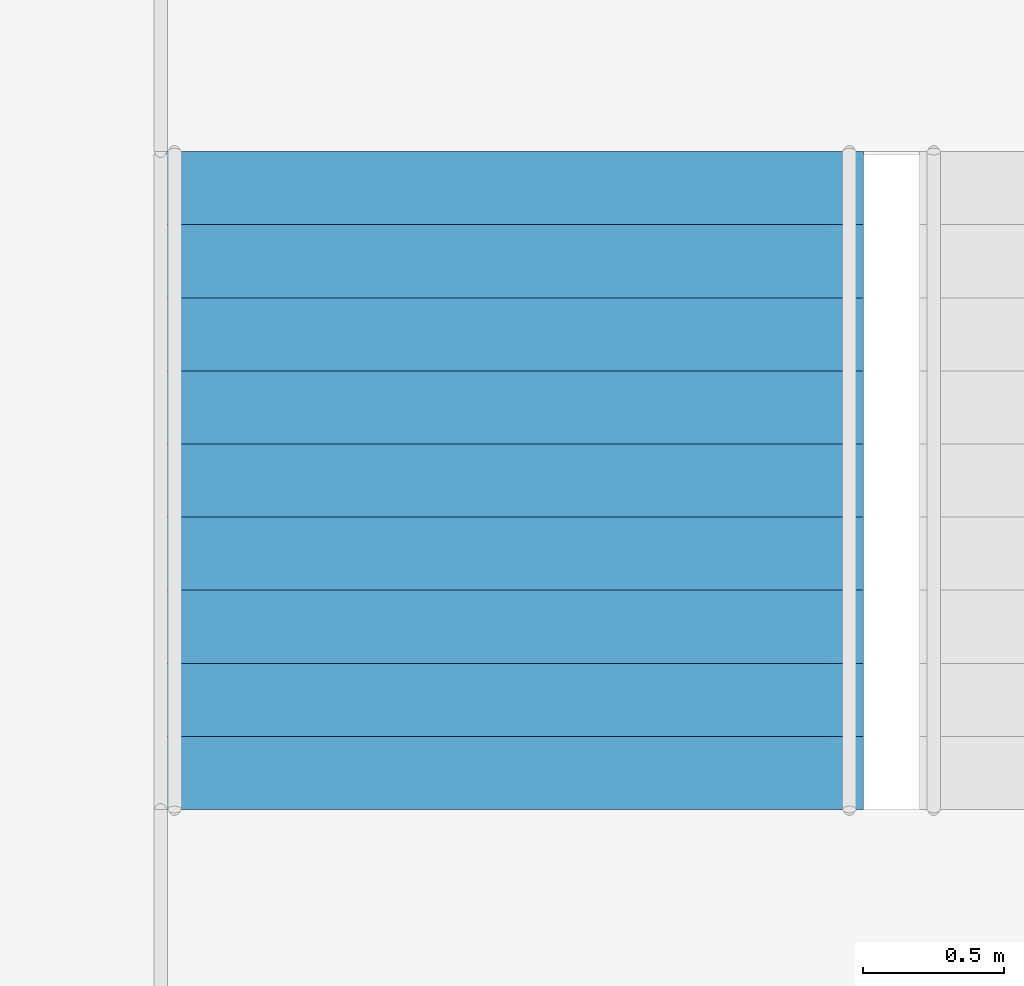
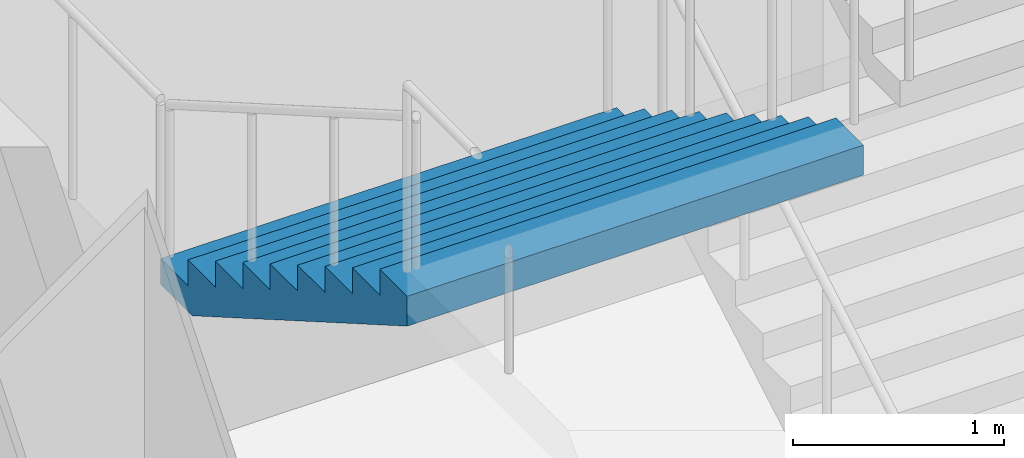
# One storey, part 71 of 100: 1 stair flight, 1 element without a shape of its own.
"""IFC4 building model written with IfcOpenShell, lengths in metres."""

from ifc_helpers import new_model, si_unit, direction, frame, origin, place, context, subcontext, project, spatial, triangles, material, type_object, element, aggregate, save


model = new_model("IFC4")

# Units and contexts
model_context = context("Model", 3, precision=1e-05, world=origin(), true_north=direction((0.0, 1.0)))
body_context = subcontext(model_context, "Body", "Model", "MODEL_VIEW")
ifc_project = project(units=[si_unit("LENGTHUNIT", "METRE"), si_unit("AREAUNIT", "SQUARE_METRE"), si_unit("VOLUMEUNIT", "CUBIC_METRE"), si_unit("PLANEANGLEUNIT", "RADIAN"), si_unit("MASSUNIT", "GRAM", prefix="KILO")], contexts=[model_context])

# Site, building, storey
site_placement = place(None, origin())
site = spatial("IfcSite", under=ifc_project, at=site_placement, CompositionType="ELEMENT")
building_placement = place(site_placement, origin())
building = spatial("IfcBuilding", under=site, at=building_placement, Name="Hakoniwa Tower and Hamabe Station Hall", CompositionType="ELEMENT")
storey_placement = place(building_placement, frame((0.0, 0.0, 9.0)))
storey = spatial("IfcBuildingStorey", under=building, at=storey_placement, Name="L02", CompositionType="ELEMENT", Elevation=9.0)

# Stair, stair flight
ifc_material_1 = material(Name="Concrete C40", Category="concrete")
stair_type = type_object("IfcStairType", Name="STAIR 2500 10X150", PredefinedType="HALF_TURN_STAIR", material=ifc_material_1)
stair_placement = place(storey_placement, origin())
stair = element("IfcStair", 1, at=stair_placement, inside=storey, type_object=stair_type, Name="Escape stair PS2", PredefinedType="HALF_TURN_STAIR")
ifc_material_2 = material(Name="Concrete C40", Category="concrete")
stair_flight_type = type_object("IfcStairFlightType", Name="STAIR FLIGHT 2500", PredefinedType="STRAIGHT", material=ifc_material_2)
stair_flight_placement = place(storey_placement, frame((45.10009765625, 22.35009765625, 3.0), z_axis=(0.0, 0.0, 1.0), x_axis=(0.0, -1.0, 0.0)))
stair_flight = element("IfcStairFlight", 2, at=stair_flight_placement, type_object=stair_flight_type, Name="PS2 flight 3", NumberOfRisers=10, NumberOfTreads=9, PredefinedType="STRAIGHT", RiserHeight=0.15, TreadLength=0.26, context=body_context, shape_type="Tessellation", body=[
    triangles([(0.0, 1.25, 0.0), (0.260009765625, 1.25, 0.0), (0.300048828125, 1.25, 0.0), (0.52001953125, 1.25, 0.126953125), (0.780029296875, 1.25, 0.27685546875), (1.0400390625, 1.25, 0.427001953125), (1.300048828125, 1.25, 0.576904296875), (1.56005859375, 1.25, 0.72705078125), (1.820068359375, 1.25, 0.876953125), (2.080078125, 1.25, 1.02685546875), (2.340087890625, 1.25, 1.177001953125), (2.340087890625, 1.25, 1.35009765625), (2.080078125, 1.25, 1.35009765625), (2.080078125, 1.25, 1.199951171875), (1.820068359375, 1.25, 1.199951171875), (1.820068359375, 1.25, 1.050048828125), (1.56005859375, 1.25, 1.050048828125), (1.56005859375, 1.25, 0.89990234375), (1.300048828125, 1.25, 0.89990234375), (1.300048828125, 1.25, 0.75), (1.0400390625, 1.25, 0.75), (1.0400390625, 1.25, 0.60009765625), (0.780029296875, 1.25, 0.60009765625), (0.780029296875, 1.25, 0.449951171875), (0.52001953125, 1.25, 0.449951171875), (0.52001953125, 1.25, 0.300048828125), (0.300048828125, 1.25, 0.300048828125), (0.260009765625, 1.25, 0.300048828125), (0.260009765625, 1.25, 0.14990234375), (0.0, 1.25, 0.14990234375), (0.0, 0.06005859375, 0.0), (0.260009765625, 0.06005859375, 0.0), (0.300048828125, 0.06005859375, 0.0), (0.52001953125, 0.06005859375, 0.126953125), (0.780029296875, 0.06005859375, 0.27685546875), (1.0400390625, 0.06005859375, 0.427001953125), (1.300048828125, 0.06005859375, 0.576904296875), (1.56005859375, 0.06005859375, 0.72705078125), (1.820068359375, 0.06005859375, 0.876953125), (2.080078125, 0.06005859375, 1.02685546875), (2.340087890625, 0.06005859375, 1.177001953125), (2.340087890625, 0.06005859375, 1.35009765625), (2.080078125, 0.06005859375, 1.35009765625), (2.080078125, 0.06005859375, 1.199951171875), (1.820068359375, 0.06005859375, 1.199951171875), (1.820068359375, 0.06005859375, 1.050048828125), (1.56005859375, 0.06005859375, 1.050048828125), (1.56005859375, 0.06005859375, 0.89990234375), (1.300048828125, 0.06005859375, 0.89990234375), (1.300048828125, 0.06005859375, 0.75), (1.0400390625, 0.06005859375, 0.75), (1.0400390625, 0.06005859375, 0.60009765625), (0.780029296875, 0.06005859375, 0.60009765625), (0.780029296875, 0.06005859375, 0.449951171875), (0.52001953125, 0.06005859375, 0.449951171875), (0.52001953125, 0.06005859375, 0.300048828125), (0.300048828125, 0.06005859375, 0.300048828125), (0.260009765625, 0.06005859375, 0.300048828125), (0.260009765625, 0.06005859375, 0.14990234375), (0.0, 0.06005859375, 0.14990234375), (0.0, 0.049072265625, 0.0), (0.260009765625, 0.049072265625, 0.0), (0.300048828125, 0.049072265625, 0.0), (0.52001953125, 0.049072265625, 0.126953125), (0.780029296875, 0.049072265625, 0.27685546875), (1.0400390625, 0.049072265625, 0.427001953125), (1.300048828125, 0.049072265625, 0.576904296875), (1.56005859375, 0.049072265625, 0.72705078125), (1.820068359375, 0.049072265625, 0.876953125), (2.080078125, 0.049072265625, 1.02685546875), (2.340087890625, 0.049072265625, 1.177001953125), (2.340087890625, 0.049072265625, 1.35009765625), (2.080078125, 0.049072265625, 1.35009765625), (2.080078125, 0.049072265625, 1.199951171875), (1.820068359375, 0.049072265625, 1.199951171875), (1.820068359375, 0.049072265625, 1.050048828125), (1.56005859375, 0.049072265625, 1.050048828125), (1.56005859375, 0.049072265625, 0.89990234375), (1.300048828125, 0.049072265625, 0.89990234375), (1.300048828125, 0.049072265625, 0.75), (1.0400390625, 0.049072265625, 0.75), (1.0400390625, 0.049072265625, 0.60009765625), (0.780029296875, 0.049072265625, 0.60009765625), (0.780029296875, 0.049072265625, 0.449951171875), (0.52001953125, 0.049072265625, 0.449951171875), (0.52001953125, 0.049072265625, 0.300048828125), (0.300048828125, 0.049072265625, 0.300048828125), (0.260009765625, 0.049072265625, 0.300048828125), (0.260009765625, 0.049072265625, 0.14990234375), (0.0, 0.049072265625, 0.14990234375), (0.0, 0.0380859375, 0.0), (0.260009765625, 0.0380859375, 0.0), (0.300048828125, 0.0380859375, 0.0), (0.52001953125, 0.0380859375, 0.126953125), (0.780029296875, 0.0380859375, 0.27685546875), (1.0400390625, 0.0380859375, 0.427001953125), (1.300048828125, 0.0380859375, 0.576904296875), (1.56005859375, 0.0380859375, 0.72705078125), (1.820068359375, 0.0380859375, 0.876953125), (2.080078125, 0.0380859375, 1.02685546875), (2.340087890625, 0.0380859375, 1.177001953125), (2.340087890625, 0.0380859375, 1.35009765625), (2.080078125, 0.0380859375, 1.35009765625), (2.080078125, 0.0380859375, 1.199951171875), (1.820068359375, 0.0380859375, 1.199951171875), (1.820068359375, 0.0380859375, 1.050048828125), (1.56005859375, 0.0380859375, 1.050048828125), (1.56005859375, 0.0380859375, 0.89990234375), (1.300048828125, 0.0380859375, 0.89990234375), (1.300048828125, 0.0380859375, 0.75), (1.0400390625, 0.0380859375, 0.75), (1.0400390625, 0.0380859375, 0.60009765625), (0.780029296875, 0.0380859375, 0.60009765625), (0.780029296875, 0.0380859375, 0.449951171875), (0.52001953125, 0.0380859375, 0.449951171875), (0.52001953125, 0.0380859375, 0.300048828125), (0.300048828125, 0.0380859375, 0.300048828125), (0.260009765625, 0.0380859375, 0.300048828125), (0.260009765625, 0.0380859375, 0.14990234375), (0.0, 0.0380859375, 0.14990234375), (0.0, 0.02734375, 0.0), (0.260009765625, 0.02734375, 0.0), (0.300048828125, 0.02734375, 0.0), (0.52001953125, 0.02734375, 0.126953125), (0.780029296875, 0.02734375, 0.27685546875), (1.0400390625, 0.02734375, 0.427001953125), (1.300048828125, 0.02734375, 0.576904296875), (1.56005859375, 0.02734375, 0.72705078125), (1.820068359375, 0.02734375, 0.876953125), (2.080078125, 0.02734375, 1.02685546875), (2.340087890625, 0.02734375, 1.177001953125), (2.340087890625, 0.02734375, 1.35009765625), (2.080078125, 0.02734375, 1.35009765625), (2.080078125, 0.02734375, 1.199951171875), (1.820068359375, 0.02734375, 1.199951171875), (1.820068359375, 0.02734375, 1.050048828125), (1.56005859375, 0.02734375, 1.050048828125), (1.56005859375, 0.02734375, 0.89990234375), (1.300048828125, 0.02734375, 0.89990234375), (1.300048828125, 0.02734375, 0.75), (1.0400390625, 0.02734375, 0.75), (1.0400390625, 0.02734375, 0.60009765625), (0.780029296875, 0.02734375, 0.60009765625), (0.780029296875, 0.02734375, 0.449951171875), (0.52001953125, 0.02734375, 0.449951171875), (0.52001953125, 0.02734375, 0.300048828125), (0.300048828125, 0.02734375, 0.300048828125), (0.260009765625, 0.02734375, 0.300048828125), (0.260009765625, 0.02734375, 0.14990234375), (0.0, 0.02734375, 0.14990234375), (0.0, 0.016357421875, 0.0), (0.260009765625, 0.016357421875, 0.0), (0.300048828125, 0.016357421875, 0.0), (0.52001953125, 0.016357421875, 0.126953125), (0.780029296875, 0.016357421875, 0.27685546875), (1.0400390625, 0.016357421875, 0.427001953125), (1.300048828125, 0.016357421875, 0.576904296875), (1.56005859375, 0.016357421875, 0.72705078125), (1.820068359375, 0.016357421875, 0.876953125), (2.080078125, 0.016357421875, 1.02685546875), (2.340087890625, 0.016357421875, 1.177001953125), (2.340087890625, 0.016357421875, 1.35009765625), (2.080078125, 0.016357421875, 1.35009765625), (2.080078125, 0.016357421875, 1.199951171875), (1.820068359375, 0.016357421875, 1.199951171875), (1.820068359375, 0.016357421875, 1.050048828125), (1.56005859375, 0.016357421875, 1.050048828125), (1.56005859375, 0.016357421875, 0.89990234375), (1.300048828125, 0.016357421875, 0.89990234375), (1.300048828125, 0.016357421875, 0.75), (1.0400390625, 0.016357421875, 0.75), (1.0400390625, 0.016357421875, 0.60009765625), (0.780029296875, 0.016357421875, 0.60009765625), (0.780029296875, 0.016357421875, 0.449951171875), (0.52001953125, 0.016357421875, 0.449951171875), (0.52001953125, 0.016357421875, 0.300048828125), (0.300048828125, 0.016357421875, 0.300048828125), (0.260009765625, 0.016357421875, 0.300048828125), (0.260009765625, 0.016357421875, 0.14990234375), (0.0, 0.016357421875, 0.14990234375), (0.0, 0.00537109375, 0.0), (0.260009765625, 0.00537109375, 0.0), (0.300048828125, 0.00537109375, 0.0), (0.52001953125, 0.00537109375, 0.126953125), (0.780029296875, 0.00537109375, 0.27685546875), (1.0400390625, 0.00537109375, 0.427001953125), (1.300048828125, 0.00537109375, 0.576904296875), (1.56005859375, 0.00537109375, 0.72705078125), (1.820068359375, 0.00537109375, 0.876953125), (2.080078125, 0.00537109375, 1.02685546875), (2.340087890625, 0.00537109375, 1.177001953125), (2.340087890625, 0.00537109375, 1.35009765625), (2.080078125, 0.00537109375, 1.35009765625), (2.080078125, 0.00537109375, 1.199951171875), (1.820068359375, 0.00537109375, 1.199951171875), (1.820068359375, 0.00537109375, 1.050048828125), (1.56005859375, 0.00537109375, 1.050048828125), (1.56005859375, 0.00537109375, 0.89990234375), (1.300048828125, 0.00537109375, 0.89990234375), (1.300048828125, 0.00537109375, 0.75), (1.0400390625, 0.00537109375, 0.75), (1.0400390625, 0.00537109375, 0.60009765625), (0.780029296875, 0.00537109375, 0.60009765625), (0.780029296875, 0.00537109375, 0.449951171875), (0.52001953125, 0.00537109375, 0.449951171875), (0.52001953125, 0.00537109375, 0.300048828125), (0.300048828125, 0.00537109375, 0.300048828125), (0.260009765625, 0.00537109375, 0.300048828125), (0.260009765625, 0.00537109375, 0.14990234375), (0.0, 0.00537109375, 0.14990234375), (0.0, -0.00537109375, 0.0), (0.260009765625, -0.00537109375, 0.0), (0.300048828125, -0.00537109375, 0.0), (0.52001953125, -0.00537109375, 0.126953125), (0.780029296875, -0.00537109375, 0.27685546875), (1.0400390625, -0.00537109375, 0.427001953125), (1.300048828125, -0.00537109375, 0.576904296875), (1.56005859375, -0.00537109375, 0.72705078125), (1.820068359375, -0.00537109375, 0.876953125), (2.080078125, -0.00537109375, 1.02685546875), (2.340087890625, -0.00537109375, 1.177001953125), (2.340087890625, -0.00537109375, 1.35009765625), (2.080078125, -0.00537109375, 1.35009765625), (2.080078125, -0.00537109375, 1.199951171875), (1.820068359375, -0.00537109375, 1.199951171875), (1.820068359375, -0.00537109375, 1.050048828125), (1.56005859375, -0.00537109375, 1.050048828125), (1.56005859375, -0.00537109375, 0.89990234375), (1.300048828125, -0.00537109375, 0.89990234375), (1.300048828125, -0.00537109375, 0.75), (1.0400390625, -0.00537109375, 0.75), (1.0400390625, -0.00537109375, 0.60009765625), (0.780029296875, -0.00537109375, 0.60009765625), (0.780029296875, -0.00537109375, 0.449951171875), (0.52001953125, -0.00537109375, 0.449951171875), (0.52001953125, -0.00537109375, 0.300048828125), (0.300048828125, -0.00537109375, 0.300048828125), (0.260009765625, -0.00537109375, 0.300048828125), (0.260009765625, -0.00537109375, 0.14990234375), (0.0, -0.00537109375, 0.14990234375), (0.0, -0.016357421875, 0.0), (0.260009765625, -0.016357421875, 0.0), (0.300048828125, -0.016357421875, 0.0), (0.52001953125, -0.016357421875, 0.126953125), (0.780029296875, -0.016357421875, 0.27685546875), (1.0400390625, -0.016357421875, 0.427001953125), (1.300048828125, -0.016357421875, 0.576904296875), (1.56005859375, -0.016357421875, 0.72705078125), (1.820068359375, -0.016357421875, 0.876953125), (2.080078125, -0.016357421875, 1.02685546875), (2.340087890625, -0.016357421875, 1.177001953125), (2.340087890625, -0.016357421875, 1.35009765625), (2.080078125, -0.016357421875, 1.35009765625), (2.080078125, -0.016357421875, 1.199951171875), (1.820068359375, -0.016357421875, 1.199951171875), (1.820068359375, -0.016357421875, 1.050048828125), (1.56005859375, -0.016357421875, 1.050048828125), (1.56005859375, -0.016357421875, 0.89990234375), (1.300048828125, -0.016357421875, 0.89990234375), (1.300048828125, -0.016357421875, 0.75), (1.0400390625, -0.016357421875, 0.75), (1.0400390625, -0.016357421875, 0.60009765625), (0.780029296875, -0.016357421875, 0.60009765625), (0.780029296875, -0.016357421875, 0.449951171875), (0.52001953125, -0.016357421875, 0.449951171875), (0.52001953125, -0.016357421875, 0.300048828125), (0.300048828125, -0.016357421875, 0.300048828125), (0.260009765625, -0.016357421875, 0.300048828125), (0.260009765625, -0.016357421875, 0.14990234375), (0.0, -0.016357421875, 0.14990234375), (0.0, -0.02734375, 0.0), (0.260009765625, -0.02734375, 0.0), (0.300048828125, -0.02734375, 0.0), (0.52001953125, -0.02734375, 0.126953125), (0.780029296875, -0.02734375, 0.27685546875), (1.0400390625, -0.02734375, 0.427001953125), (1.300048828125, -0.02734375, 0.576904296875), (1.56005859375, -0.02734375, 0.72705078125), (1.820068359375, -0.02734375, 0.876953125), (2.080078125, -0.02734375, 1.02685546875), (2.340087890625, -0.02734375, 1.177001953125), (2.340087890625, -0.02734375, 1.35009765625), (2.080078125, -0.02734375, 1.35009765625), (2.080078125, -0.02734375, 1.199951171875), (1.820068359375, -0.02734375, 1.199951171875), (1.820068359375, -0.02734375, 1.050048828125), (1.56005859375, -0.02734375, 1.050048828125), (1.56005859375, -0.02734375, 0.89990234375), (1.300048828125, -0.02734375, 0.89990234375), (1.300048828125, -0.02734375, 0.75), (1.0400390625, -0.02734375, 0.75), (1.0400390625, -0.02734375, 0.60009765625), (0.780029296875, -0.02734375, 0.60009765625), (0.780029296875, -0.02734375, 0.449951171875), (0.52001953125, -0.02734375, 0.449951171875), (0.52001953125, -0.02734375, 0.300048828125), (0.300048828125, -0.02734375, 0.300048828125), (0.260009765625, -0.02734375, 0.300048828125), (0.260009765625, -0.02734375, 0.14990234375), (0.0, -0.02734375, 0.14990234375), (0.0, -0.0380859375, 0.0), (0.260009765625, -0.0380859375, 0.0), (0.300048828125, -0.0380859375, 0.0), (0.52001953125, -0.0380859375, 0.126953125), (0.780029296875, -0.0380859375, 0.27685546875), (1.0400390625, -0.0380859375, 0.427001953125), (1.300048828125, -0.0380859375, 0.576904296875), (1.56005859375, -0.0380859375, 0.72705078125), (1.820068359375, -0.0380859375, 0.876953125), (2.080078125, -0.0380859375, 1.02685546875), (2.340087890625, -0.0380859375, 1.177001953125), (2.340087890625, -0.0380859375, 1.35009765625), (2.080078125, -0.0380859375, 1.35009765625), (2.080078125, -0.0380859375, 1.199951171875), (1.820068359375, -0.0380859375, 1.199951171875), (1.820068359375, -0.0380859375, 1.050048828125), (1.56005859375, -0.0380859375, 1.050048828125), (1.56005859375, -0.0380859375, 0.89990234375), (1.300048828125, -0.0380859375, 0.89990234375), (1.300048828125, -0.0380859375, 0.75), (1.0400390625, -0.0380859375, 0.75), (1.0400390625, -0.0380859375, 0.60009765625), (0.780029296875, -0.0380859375, 0.60009765625), (0.780029296875, -0.0380859375, 0.449951171875), (0.52001953125, -0.0380859375, 0.449951171875), (0.52001953125, -0.0380859375, 0.300048828125), (0.300048828125, -0.0380859375, 0.300048828125), (0.260009765625, -0.0380859375, 0.300048828125), (0.260009765625, -0.0380859375, 0.14990234375), (0.0, -0.0380859375, 0.14990234375), (0.0, -0.049072265625, 0.0), (0.260009765625, -0.049072265625, 0.0), (0.300048828125, -0.049072265625, 0.0), (0.52001953125, -0.049072265625, 0.126953125), (0.780029296875, -0.049072265625, 0.27685546875), (1.0400390625, -0.049072265625, 0.427001953125), (1.300048828125, -0.049072265625, 0.576904296875), (1.56005859375, -0.049072265625, 0.72705078125), (1.820068359375, -0.049072265625, 0.876953125), (2.080078125, -0.049072265625, 1.02685546875), (2.340087890625, -0.049072265625, 1.177001953125), (2.340087890625, -0.049072265625, 1.35009765625), (2.080078125, -0.049072265625, 1.35009765625), (2.080078125, -0.049072265625, 1.199951171875), (1.820068359375, -0.049072265625, 1.199951171875), (1.820068359375, -0.049072265625, 1.050048828125), (1.56005859375, -0.049072265625, 1.050048828125), (1.56005859375, -0.049072265625, 0.89990234375), (1.300048828125, -0.049072265625, 0.89990234375), (1.300048828125, -0.049072265625, 0.75), (1.0400390625, -0.049072265625, 0.75), (1.0400390625, -0.049072265625, 0.60009765625), (0.780029296875, -0.049072265625, 0.60009765625), (0.780029296875, -0.049072265625, 0.449951171875), (0.52001953125, -0.049072265625, 0.449951171875), (0.52001953125, -0.049072265625, 0.300048828125), (0.300048828125, -0.049072265625, 0.300048828125), (0.260009765625, -0.049072265625, 0.300048828125), (0.260009765625, -0.049072265625, 0.14990234375), (0.0, -0.049072265625, 0.14990234375), (0.0, -0.06005859375, 0.0), (0.260009765625, -0.06005859375, 0.0), (0.300048828125, -0.06005859375, 0.0), (0.52001953125, -0.06005859375, 0.126953125), (0.780029296875, -0.06005859375, 0.27685546875), (1.0400390625, -0.06005859375, 0.427001953125), (1.300048828125, -0.06005859375, 0.576904296875), (1.56005859375, -0.06005859375, 0.72705078125), (1.820068359375, -0.06005859375, 0.876953125), (2.080078125, -0.06005859375, 1.02685546875), (2.340087890625, -0.06005859375, 1.177001953125), (2.340087890625, -0.06005859375, 1.35009765625), (2.080078125, -0.06005859375, 1.35009765625), (2.080078125, -0.06005859375, 1.199951171875), (1.820068359375, -0.06005859375, 1.199951171875), (1.820068359375, -0.06005859375, 1.050048828125), (1.56005859375, -0.06005859375, 1.050048828125), (1.56005859375, -0.06005859375, 0.89990234375), (1.300048828125, -0.06005859375, 0.89990234375), (1.300048828125, -0.06005859375, 0.75), (1.0400390625, -0.06005859375, 0.75), (1.0400390625, -0.06005859375, 0.60009765625), (0.780029296875, -0.06005859375, 0.60009765625), (0.780029296875, -0.06005859375, 0.449951171875), (0.52001953125, -0.06005859375, 0.449951171875), (0.52001953125, -0.06005859375, 0.300048828125), (0.300048828125, -0.06005859375, 0.300048828125), (0.260009765625, -0.06005859375, 0.300048828125), (0.260009765625, -0.06005859375, 0.14990234375), (0.0, -0.06005859375, 0.14990234375), (0.0, -1.25, 0.0), (0.260009765625, -1.25, 0.0), (0.300048828125, -1.25, 0.0), (0.52001953125, -1.25, 0.126953125), (0.780029296875, -1.25, 0.27685546875), (1.0400390625, -1.25, 0.427001953125), (1.300048828125, -1.25, 0.576904296875), (1.56005859375, -1.25, 0.72705078125), (1.820068359375, -1.25, 0.876953125), (2.080078125, -1.25, 1.02685546875), (2.340087890625, -1.25, 1.177001953125), (2.340087890625, -1.25, 1.35009765625), (2.080078125, -1.25, 1.35009765625), (2.080078125, -1.25, 1.199951171875), (1.820068359375, -1.25, 1.199951171875), (1.820068359375, -1.25, 1.050048828125), (1.56005859375, -1.25, 1.050048828125), (1.56005859375, -1.25, 0.89990234375), (1.300048828125, -1.25, 0.89990234375), (1.300048828125, -1.25, 0.75), (1.0400390625, -1.25, 0.75), (1.0400390625, -1.25, 0.60009765625), (0.780029296875, -1.25, 0.60009765625), (0.780029296875, -1.25, 0.449951171875), (0.52001953125, -1.25, 0.449951171875), (0.52001953125, -1.25, 0.300048828125), (0.300048828125, -1.25, 0.300048828125), (0.260009765625, -1.25, 0.300048828125), (0.260009765625, -1.25, 0.14990234375), (0.0, -1.25, 0.14990234375)], [[2, 30, 29], [392, 419, 420], [2, 1, 30], [392, 420, 391], [3, 28, 27], [393, 417, 418], [3, 29, 28], [393, 418, 419], [3, 2, 29], [393, 419, 392], [4, 27, 26], [394, 416, 417], [4, 3, 27], [394, 417, 393], [5, 25, 24], [395, 414, 415], [5, 26, 25], [395, 415, 416], [5, 4, 26], [395, 416, 394], [6, 23, 22], [396, 412, 413], [6, 24, 23], [396, 413, 414], [6, 5, 24], [396, 414, 395], [7, 21, 20], [397, 410, 411], [7, 22, 21], [397, 411, 412], [7, 6, 22], [397, 412, 396], [8, 19, 18], [398, 408, 409], [8, 20, 19], [398, 409, 410], [8, 7, 20], [398, 410, 397], [9, 17, 16], [399, 406, 407], [9, 18, 17], [399, 407, 408], [9, 8, 18], [399, 408, 398], [10, 15, 14], [400, 404, 405], [10, 16, 15], [400, 405, 406], [10, 9, 16], [400, 406, 399], [11, 13, 12], [401, 402, 403], [11, 14, 13], [401, 403, 404], [11, 10, 14], [401, 404, 400], [1, 2, 32], [1, 32, 31], [31, 32, 62], [31, 62, 61], [61, 62, 92], [61, 92, 91], [91, 92, 122], [91, 122, 121], [121, 122, 152], [121, 152, 151], [151, 152, 182], [151, 182, 181], [181, 182, 212], [181, 212, 211], [211, 212, 242], [211, 242, 241], [241, 242, 272], [241, 272, 271], [271, 272, 302], [271, 302, 301], [301, 302, 332], [301, 332, 331], [331, 332, 362], [331, 362, 361], [361, 362, 392], [361, 392, 391], [2, 3, 33], [2, 33, 32], [32, 33, 63], [32, 63, 62], [62, 63, 93], [62, 93, 92], [92, 93, 123], [92, 123, 122], [122, 123, 153], [122, 153, 152], [152, 153, 183], [152, 183, 182], [182, 183, 213], [182, 213, 212], [212, 213, 243], [212, 243, 242], [242, 243, 273], [242, 273, 272], [272, 273, 303], [272, 303, 302], [302, 303, 333], [302, 333, 332], [332, 333, 363], [332, 363, 362], [362, 363, 393], [362, 393, 392], [3, 4, 34], [3, 34, 33], [33, 34, 64], [33, 64, 63], [63, 64, 94], [63, 94, 93], [93, 94, 124], [93, 124, 123], [123, 124, 154], [123, 154, 153], [153, 154, 184], [153, 184, 183], [183, 184, 214], [183, 214, 213], [213, 214, 244], [213, 244, 243], [243, 244, 274], [243, 274, 273], [273, 274, 304], [273, 304, 303], [303, 304, 334], [303, 334, 333], [333, 334, 364], [333, 364, 363], [363, 364, 394], [363, 394, 393], [4, 5, 35], [4, 35, 34], [34, 35, 65], [34, 65, 64], [64, 65, 95], [64, 95, 94], [94, 95, 125], [94, 125, 124], [124, 125, 155], [124, 155, 154], [154, 155, 185], [154, 185, 184], [184, 185, 215], [184, 215, 214], [214, 215, 245], [214, 245, 244], [244, 245, 275], [244, 275, 274], [274, 275, 305], [274, 305, 304], [304, 305, 335], [304, 335, 334], [334, 335, 365], [334, 365, 364], [364, 365, 395], [364, 395, 394], [5, 6, 36], [5, 36, 35], [35, 36, 66], [35, 66, 65], [65, 66, 96], [65, 96, 95], [95, 96, 126], [95, 126, 125], [125, 126, 156], [125, 156, 155], [155, 156, 186], [155, 186, 185], [185, 186, 216], [185, 216, 215], [215, 216, 246], [215, 246, 245], [245, 246, 276], [245, 276, 275], [275, 276, 306], [275, 306, 305], [305, 306, 336], [305, 336, 335], [335, 336, 366], [335, 366, 365], [365, 366, 396], [365, 396, 395], [6, 7, 37], [6, 37, 36], [36, 37, 67], [36, 67, 66], [66, 67, 97], [66, 97, 96], [96, 97, 127], [96, 127, 126], [126, 127, 157], [126, 157, 156], [156, 157, 187], [156, 187, 186], [186, 187, 217], [186, 217, 216], [216, 217, 247], [216, 247, 246], [246, 247, 277], [246, 277, 276], [276, 277, 307], [276, 307, 306], [306, 307, 337], [306, 337, 336], [336, 337, 367], [336, 367, 366], [366, 367, 397], [366, 397, 396], [7, 8, 38], [7, 38, 37], [37, 38, 68], [37, 68, 67], [67, 68, 98], [67, 98, 97], [97, 98, 128], [97, 128, 127], [127, 128, 158], [127, 158, 157], [157, 158, 188], [157, 188, 187], [187, 188, 218], [187, 218, 217], [217, 218, 248], [217, 248, 247], [247, 248, 278], [247, 278, 277], [277, 278, 308], [277, 308, 307], [307, 308, 338], [307, 338, 337], [337, 338, 368], [337, 368, 367], [367, 368, 398], [367, 398, 397], [8, 9, 39], [8, 39, 38], [38, 39, 69], [38, 69, 68], [68, 69, 99], [68, 99, 98], [98, 99, 129], [98, 129, 128], [128, 129, 159], [128, 159, 158], [158, 159, 189], [158, 189, 188], [188, 189, 219], [188, 219, 218], [218, 219, 249], [218, 249, 248], [248, 249, 279], [248, 279, 278], [278, 279, 309], [278, 309, 308], [308, 309, 339], [308, 339, 338], [338, 339, 369], [338, 369, 368], [368, 369, 399], [368, 399, 398], [9, 10, 40], [9, 40, 39], [39, 40, 70], [39, 70, 69], [69, 70, 100], [69, 100, 99], [99, 100, 130], [99, 130, 129], [129, 130, 160], [129, 160, 159], [159, 160, 190], [159, 190, 189], [189, 190, 220], [189, 220, 219], [219, 220, 250], [219, 250, 249], [249, 250, 280], [249, 280, 279], [279, 280, 310], [279, 310, 309], [309, 310, 340], [309, 340, 339], [339, 340, 370], [339, 370, 369], [369, 370, 400], [369, 400, 399], [10, 11, 41], [10, 41, 40], [40, 41, 71], [40, 71, 70], [70, 71, 101], [70, 101, 100], [100, 101, 131], [100, 131, 130], [130, 131, 161], [130, 161, 160], [160, 161, 191], [160, 191, 190], [190, 191, 221], [190, 221, 220], [220, 221, 251], [220, 251, 250], [250, 251, 281], [250, 281, 280], [280, 281, 311], [280, 311, 310], [310, 311, 341], [310, 341, 340], [340, 341, 371], [340, 371, 370], [370, 371, 401], [370, 401, 400], [11, 12, 42], [11, 42, 41], [41, 42, 72], [41, 72, 71], [71, 72, 102], [71, 102, 101], [101, 102, 132], [101, 132, 131], [131, 132, 162], [131, 162, 161], [161, 162, 192], [161, 192, 191], [191, 192, 222], [191, 222, 221], [221, 222, 252], [221, 252, 251], [251, 252, 282], [251, 282, 281], [281, 282, 312], [281, 312, 311], [311, 312, 342], [311, 342, 341], [341, 342, 372], [341, 372, 371], [371, 372, 402], [371, 402, 401], [12, 13, 43], [12, 43, 42], [42, 43, 73], [42, 73, 72], [72, 73, 103], [72, 103, 102], [102, 103, 133], [102, 133, 132], [132, 133, 163], [132, 163, 162], [162, 163, 193], [162, 193, 192], [192, 193, 223], [192, 223, 222], [222, 223, 253], [222, 253, 252], [252, 253, 283], [252, 283, 282], [282, 283, 313], [282, 313, 312], [312, 313, 343], [312, 343, 342], [342, 343, 373], [342, 373, 372], [372, 373, 403], [372, 403, 402], [13, 14, 44], [13, 44, 43], [43, 44, 74], [43, 74, 73], [73, 74, 104], [73, 104, 103], [103, 104, 134], [103, 134, 133], [133, 134, 164], [133, 164, 163], [163, 164, 194], [163, 194, 193], [193, 194, 224], [193, 224, 223], [223, 224, 254], [223, 254, 253], [253, 254, 284], [253, 284, 283], [283, 284, 314], [283, 314, 313], [313, 314, 344], [313, 344, 343], [343, 344, 374], [343, 374, 373], [373, 374, 404], [373, 404, 403], [14, 15, 45], [14, 45, 44], [44, 45, 75], [44, 75, 74], [74, 75, 105], [74, 105, 104], [104, 105, 135], [104, 135, 134], [134, 135, 165], [134, 165, 164], [164, 165, 195], [164, 195, 194], [194, 195, 225], [194, 225, 224], [224, 225, 255], [224, 255, 254], [254, 255, 285], [254, 285, 284], [284, 285, 315], [284, 315, 314], [314, 315, 345], [314, 345, 344], [344, 345, 375], [344, 375, 374], [374, 375, 405], [374, 405, 404], [15, 16, 46], [15, 46, 45], [45, 46, 76], [45, 76, 75], [75, 76, 106], [75, 106, 105], [105, 106, 136], [105, 136, 135], [135, 136, 166], [135, 166, 165], [165, 166, 196], [165, 196, 195], [195, 196, 226], [195, 226, 225], [225, 226, 256], [225, 256, 255], [255, 256, 286], [255, 286, 285], [285, 286, 316], [285, 316, 315], [315, 316, 346], [315, 346, 345], [345, 346, 376], [345, 376, 375], [375, 376, 406], [375, 406, 405], [16, 17, 47], [16, 47, 46], [46, 47, 77], [46, 77, 76], [76, 77, 107], [76, 107, 106], [106, 107, 137], [106, 137, 136], [136, 137, 167], [136, 167, 166], [166, 167, 197], [166, 197, 196], [196, 197, 227], [196, 227, 226], [226, 227, 257], [226, 257, 256], [256, 257, 287], [256, 287, 286], [286, 287, 317], [286, 317, 316], [316, 317, 347], [316, 347, 346], [346, 347, 377], [346, 377, 376], [376, 377, 407], [376, 407, 406], [17, 18, 48], [17, 48, 47], [47, 48, 78], [47, 78, 77], [77, 78, 108], [77, 108, 107], [107, 108, 138], [107, 138, 137], [137, 138, 168], [137, 168, 167], [167, 168, 198], [167, 198, 197], [197, 198, 228], [197, 228, 227], [227, 228, 258], [227, 258, 257], [257, 258, 288], [257, 288, 287], [287, 288, 318], [287, 318, 317], [317, 318, 348], [317, 348, 347], [347, 348, 378], [347, 378, 377], [377, 378, 408], [377, 408, 407], [18, 19, 49], [18, 49, 48], [48, 49, 79], [48, 79, 78], [78, 79, 109], [78, 109, 108], [108, 109, 139], [108, 139, 138], [138, 139, 169], [138, 169, 168], [168, 169, 199], [168, 199, 198], [198, 199, 229], [198, 229, 228], [228, 229, 259], [228, 259, 258], [258, 259, 289], [258, 289, 288], [288, 289, 319], [288, 319, 318], [318, 319, 349], [318, 349, 348], [348, 349, 379], [348, 379, 378], [378, 379, 409], [378, 409, 408], [19, 20, 50], [19, 50, 49], [49, 50, 80], [49, 80, 79], [79, 80, 110], [79, 110, 109], [109, 110, 140], [109, 140, 139], [139, 140, 170], [139, 170, 169], [169, 170, 200], [169, 200, 199], [199, 200, 230], [199, 230, 229], [229, 230, 260], [229, 260, 259], [259, 260, 290], [259, 290, 289], [289, 290, 320], [289, 320, 319], [319, 320, 350], [319, 350, 349], [349, 350, 380], [349, 380, 379], [379, 380, 410], [379, 410, 409], [20, 21, 51], [20, 51, 50], [50, 51, 81], [50, 81, 80], [80, 81, 111], [80, 111, 110], [110, 111, 141], [110, 141, 140], [140, 141, 171], [140, 171, 170], [170, 171, 201], [170, 201, 200], [200, 201, 231], [200, 231, 230], [230, 231, 261], [230, 261, 260], [260, 261, 291], [260, 291, 290], [290, 291, 321], [290, 321, 320], [320, 321, 351], [320, 351, 350], [350, 351, 381], [350, 381, 380], [380, 381, 411], [380, 411, 410], [21, 22, 52], [21, 52, 51], [51, 52, 82], [51, 82, 81], [81, 82, 112], [81, 112, 111], [111, 112, 142], [111, 142, 141], [141, 142, 172], [141, 172, 171], [171, 172, 202], [171, 202, 201], [201, 202, 232], [201, 232, 231], [231, 232, 262], [231, 262, 261], [261, 262, 292], [261, 292, 291], [291, 292, 322], [291, 322, 321], [321, 322, 352], [321, 352, 351], [351, 352, 382], [351, 382, 381], [381, 382, 412], [381, 412, 411], [22, 23, 53], [22, 53, 52], [52, 53, 83], [52, 83, 82], [82, 83, 113], [82, 113, 112], [112, 113, 143], [112, 143, 142], [142, 143, 173], [142, 173, 172], [172, 173, 203], [172, 203, 202], [202, 203, 233], [202, 233, 232], [232, 233, 263], [232, 263, 262], [262, 263, 293], [262, 293, 292], [292, 293, 323], [292, 323, 322], [322, 323, 353], [322, 353, 352], [352, 353, 383], [352, 383, 382], [382, 383, 413], [382, 413, 412], [23, 24, 54], [23, 54, 53], [53, 54, 84], [53, 84, 83], [83, 84, 114], [83, 114, 113], [113, 114, 144], [113, 144, 143], [143, 144, 174], [143, 174, 173], [173, 174, 204], [173, 204, 203], [203, 204, 234], [203, 234, 233], [233, 234, 264], [233, 264, 263], [263, 264, 294], [263, 294, 293], [293, 294, 324], [293, 324, 323], [323, 324, 354], [323, 354, 353], [353, 354, 384], [353, 384, 383], [383, 384, 414], [383, 414, 413], [24, 25, 55], [24, 55, 54], [54, 55, 85], [54, 85, 84], [84, 85, 115], [84, 115, 114], [114, 115, 145], [114, 145, 144], [144, 145, 175], [144, 175, 174], [174, 175, 205], [174, 205, 204], [204, 205, 235], [204, 235, 234], [234, 235, 265], [234, 265, 264], [264, 265, 295], [264, 295, 294], [294, 295, 325], [294, 325, 324], [324, 325, 355], [324, 355, 354], [354, 355, 385], [354, 385, 384], [384, 385, 415], [384, 415, 414], [25, 26, 56], [25, 56, 55], [55, 56, 86], [55, 86, 85], [85, 86, 116], [85, 116, 115], [115, 116, 146], [115, 146, 145], [145, 146, 176], [145, 176, 175], [175, 176, 206], [175, 206, 205], [205, 206, 236], [205, 236, 235], [235, 236, 266], [235, 266, 265], [265, 266, 296], [265, 296, 295], [295, 296, 326], [295, 326, 325], [325, 326, 356], [325, 356, 355], [355, 356, 386], [355, 386, 385], [385, 386, 416], [385, 416, 415], [26, 27, 57], [26, 57, 56], [56, 57, 87], [56, 87, 86], [86, 87, 117], [86, 117, 116], [116, 117, 147], [116, 147, 146], [146, 147, 177], [146, 177, 176], [176, 177, 207], [176, 207, 206], [206, 207, 237], [206, 237, 236], [236, 237, 267], [236, 267, 266], [266, 267, 297], [266, 297, 296], [296, 297, 327], [296, 327, 326], [326, 327, 357], [326, 357, 356], [356, 357, 387], [356, 387, 386], [386, 387, 417], [386, 417, 416], [27, 28, 58], [27, 58, 57], [57, 58, 88], [57, 88, 87], [87, 88, 118], [87, 118, 117], [117, 118, 148], [117, 148, 147], [147, 148, 178], [147, 178, 177], [177, 178, 208], [177, 208, 207], [207, 208, 238], [207, 238, 237], [237, 238, 268], [237, 268, 267], [267, 268, 298], [267, 298, 297], [297, 298, 328], [297, 328, 327], [327, 328, 358], [327, 358, 357], [357, 358, 388], [357, 388, 387], [387, 388, 418], [387, 418, 417], [28, 29, 59], [28, 59, 58], [58, 59, 89], [58, 89, 88], [88, 89, 119], [88, 119, 118], [118, 119, 149], [118, 149, 148], [148, 149, 179], [148, 179, 178], [178, 179, 209], [178, 209, 208], [208, 209, 239], [208, 239, 238], [238, 239, 269], [238, 269, 268], [268, 269, 299], [268, 299, 298], [298, 299, 329], [298, 329, 328], [328, 329, 359], [328, 359, 358], [358, 359, 389], [358, 389, 388], [388, 389, 419], [388, 419, 418], [29, 30, 60], [29, 60, 59], [59, 60, 90], [59, 90, 89], [89, 90, 120], [89, 120, 119], [119, 120, 150], [119, 150, 149], [149, 150, 180], [149, 180, 179], [179, 180, 210], [179, 210, 209], [209, 210, 240], [209, 240, 239], [239, 240, 270], [239, 270, 269], [269, 270, 300], [269, 300, 299], [299, 300, 330], [299, 330, 329], [329, 330, 360], [329, 360, 359], [359, 360, 390], [359, 390, 389], [389, 390, 420], [389, 420, 419], [30, 1, 31], [30, 31, 60], [60, 31, 61], [60, 61, 90], [90, 61, 91], [90, 91, 120], [120, 91, 121], [120, 121, 150], [150, 121, 151], [150, 151, 180], [180, 151, 181], [180, 181, 210], [210, 181, 211], [210, 211, 240], [240, 211, 241], [240, 241, 270], [270, 241, 271], [270, 271, 300], [300, 271, 301], [300, 301, 330], [330, 301, 331], [330, 331, 360], [360, 331, 361], [360, 361, 390], [390, 361, 391], [390, 391, 420]], closed=True),
])
aggregate(stair, [stair_flight])

save(model, "model.ifc")
